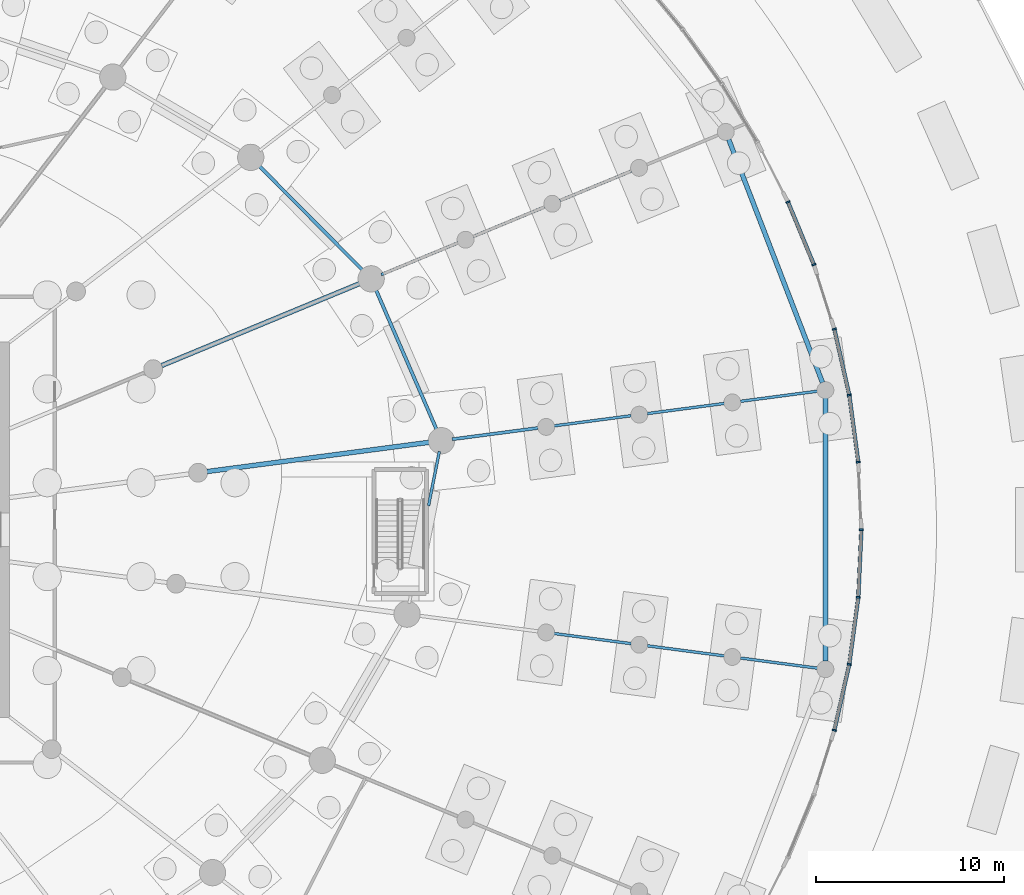
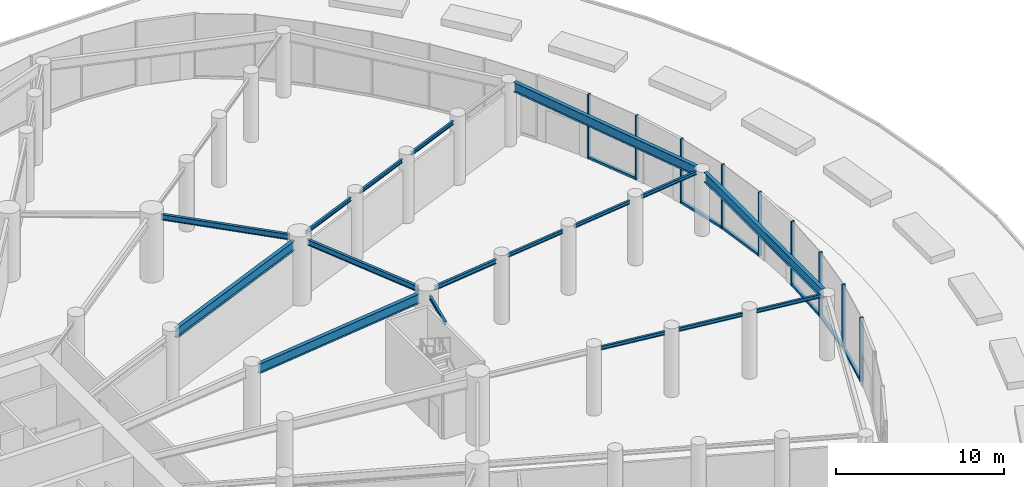
# One storey, part 10 of 28: 17 beams, 15 members, 2 elements without a shape of their own.
"""IFC4 building model written with IfcOpenShell, lengths in metres."""

from ifc_helpers import new_model, si_unit, direction, frame, origin, origin_2d, place, context, subcontext, project, spatial, rectangle, i_section, extrude, source, transform, mapped, material, layer, layer_set, material_profile, profile_set, type_object, element, aggregate, save


model = new_model("IFC4")

# Units and contexts
model_context = context("Model", 3, precision=1e-05, world=origin(), true_north=direction((0.0, 1.0)))
body_context = subcontext(model_context, "Body", "Model", "MODEL_VIEW")
ifc_project = project(units=[si_unit("LENGTHUNIT", "METRE"), si_unit("AREAUNIT", "SQUARE_METRE"), si_unit("VOLUMEUNIT", "CUBIC_METRE"), si_unit("PLANEANGLEUNIT", "RADIAN"), si_unit("MASSUNIT", "GRAM", prefix="KILO")], contexts=[model_context])

# Site, building, storey
site_placement = place(None, origin())
site = spatial("IfcSite", under=ifc_project, at=site_placement, CompositionType="ELEMENT")
building_placement = place(site_placement, origin())
building = spatial("IfcBuilding", under=site, at=building_placement, Name="Spindrift Exchange Tower", CompositionType="ELEMENT")
storey_placement = place(building_placement, origin())
storey = spatial("IfcBuildingStorey", under=building, at=storey_placement, Name="L00", CompositionType="ELEMENT", Elevation=0.0)

# Beams
ifc_material_1 = material(Name="Steel Grade 300", Category="steel")
ifc_material_profile_1 = material_profile(ifc_material_1, i_section(OverallWidth=0.25, OverallDepth=0.699951171875, WebThickness=0.008056640625, FlangeThickness=0.011962890625, at=origin_2d()), Name="700WB115")
ifc_profile_set_1 = profile_set([ifc_material_profile_1], Name="Steel Grade 300")
beam_type_1 = type_object("IfcBeamType", Name="Floor Beam 700WB115 Steel Grade 300", PredefinedType="BEAM", material=ifc_profile_set_1)
shared_shape_1 = source(origin(), body_context, "Body", "SweptSolid", [
    extrude(i_section(OverallWidth=0.25, OverallDepth=0.699951171875, WebThickness=0.008056640625, FlangeThickness=0.011962890625, at=origin_2d()), origin(), (0.0, 0.0, 1.0), 12.00830078125),
])
beam_1_placement = place(storey_placement, frame((75.509765625, 51.09521484375, 4.300048828125), z_axis=(0.991444950947, 0.130525511844, 0.0), x_axis=(-0.130525511844, 0.991444950947, 0.0)))
element("IfcBeam", 1, at=beam_1_placement, inside=storey, type_object=beam_type_1, Name="L00 radial beam R01B", PredefinedType="BEAM", context=body_context, shape_type="MappedRepresentation", body=[
    mapped(shared_shape_1, transform((0.0, 0.0, 0.0), scale=1.0)),
])
ifc_material_profile_2 = material_profile(ifc_material_1, i_section(OverallWidth=0.1650390625, OverallDepth=0.303955078125, WebThickness=0.006103515625, FlangeThickness=0.01025390625, FilletRadius=0.011474609375, at=origin_2d()), Name="310UB40.4")
ifc_profile_set_2 = profile_set([ifc_material_profile_2], Name="Steel Grade 300")
beam_type_2 = type_object("IfcBeamType", Name="Floor Beam 310UB40.4 Steel Grade 300", PredefinedType="BEAM", material=ifc_profile_set_2)
shared_shape_2 = source(origin(), body_context, "Body", "SweptSolid", [
    extrude(i_section(OverallWidth=0.1650390625, OverallDepth=0.303955078125, WebThickness=0.006103515625, FlangeThickness=0.01025390625, FilletRadius=0.011474609375, at=origin_2d()), origin(), (0.0, 0.0, 1.0), 4.613037109375),
])
beam_2_placement = place(storey_placement, frame((88.5654296875, 52.81396484375, 4.498046875), z_axis=(0.991446547774, 0.130513382096, 0.0), x_axis=(-0.130513382096, 0.991446547774, 0.0)))
element("IfcBeam", 2, at=beam_2_placement, inside=storey, type_object=beam_type_2, Name="L00 radial beam R01C1", PredefinedType="BEAM", context=body_context, shape_type="MappedRepresentation", body=[
    mapped(shared_shape_2, transform((0.0, 0.0, 0.0), scale=1.0)),
])
ifc_material_profile_3 = material_profile(ifc_material_1, i_section(OverallWidth=0.14599609375, OverallDepth=0.251953125, WebThickness=0.006103515625, FlangeThickness=0.008544921875, FilletRadius=0.011962890625, at=origin_2d()), Name="250UB31.4")
ifc_profile_set_3 = profile_set([ifc_material_profile_3], Name="Steel Grade 300")
beam_type_3 = type_object("IfcBeamType", Name="Floor Beam 250UB31.4 Steel Grade 300", PredefinedType="BEAM", material=ifc_profile_set_3)
shared_shape_3 = source(origin(), body_context, "Body", "SweptSolid", [
    extrude(i_section(OverallWidth=0.14599609375, OverallDepth=0.251953125, WebThickness=0.006103515625, FlangeThickness=0.008544921875, FilletRadius=0.011962890625, at=origin_2d()), origin(), (0.0, 0.0, 1.0), 4.1396484375),
])
for number, where, z_axis, x_axis, name in (
    (3, (93.99169921875, 53.5283203125, 4.52392578125), (0.991446465077, 0.130514010304, 0.0), (-0.130514010304, 0.991446465077, 0.0), "L00 radial beam R01C2"),
    (4, (98.94873046875, 54.180908203125, 4.52392578125), (0.991446465077, 0.130514010304, 0.0), (-0.130514010304, 0.991446465077, 0.0), "L00 radial beam R01C3"),
    (5, (103.90576171875, 54.83349609375, 4.52392578125), (0.991446465077, 0.130514010304, 0.0), (-0.130514010304, 0.991446465077, 0.0), "L00 radial beam R01C4"),
    (6, (93.99169921875, 42.4716796875, 4.52392578125), (0.991446465077, -0.130514010304, 0.0), (0.130514010304, 0.991446465077, 0.0), "L00 radial beam R24C2"),
    (7, (98.94873046875, 41.819091796875, 4.52392578125), (0.991446465077, -0.130514010304, 0.0), (0.130514010304, 0.991446465077, 0.0), "L00 radial beam R24C3"),
    (8, (103.90576171875, 41.16650390625, 4.52392578125), (0.991446465077, -0.130514010304, 0.0), (0.130514010304, 0.991446465077, 0.0), "L00 radial beam R24C4"),
):
    element("IfcBeam", number, at=place(storey_placement, frame(where, z_axis=z_axis, x_axis=x_axis)), inside=storey, type_object=beam_type_3, Name=name, PredefinedType="BEAM", context=body_context, shape_type="MappedRepresentation", body=[
        mapped(shared_shape_3, transform((0.0, 0.0, 0.0), scale=1.0)),
    ])
shared_shape_4 = source(origin(), body_context, "Body", "SweptSolid", [
    extrude(i_section(OverallWidth=0.25, OverallDepth=0.699951171875, WebThickness=0.008056640625, FlangeThickness=0.011962890625, at=origin_2d()), origin(), (0.0, 0.0, 1.0), 11.505859375),
])
beam_3_placement = place(storey_placement, frame((73.082763671875, 56.73291015625, 4.300048828125), z_axis=(0.923881578419, 0.38267849307, 0.0), x_axis=(-0.38267849307, 0.923881578419, 0.0)))
element("IfcBeam", 9, at=beam_3_placement, inside=storey, type_object=beam_type_1, Name="L00 radial beam R02B", PredefinedType="BEAM", context=body_context, shape_type="MappedRepresentation", body=[
    mapped(shared_shape_4, transform((0.0, 0.0, 0.0), scale=1.0)),
])
shared_shape_5 = source(origin(), body_context, "Body", "SweptSolid", [
    extrude(i_section(OverallWidth=0.14599609375, OverallDepth=0.251953125, WebThickness=0.006103515625, FlangeThickness=0.008544921875, FilletRadius=0.011962890625, at=origin_2d()), origin(), (0.0, 0.0, 1.0), 4.429931640625),
])
beam_4_placement = place(storey_placement, frame((84.78466796875, 61.579833984375, 4.52392578125), z_axis=(0.923877119512, 0.382689257808, 0.0), x_axis=(-0.382689257808, 0.923877119512, 0.0)))
element("IfcBeam", 10, at=beam_4_placement, inside=storey, type_object=beam_type_3, Name="L00 radial beam R02C1", PredefinedType="BEAM", context=body_context, shape_type="MappedRepresentation", body=[
    mapped(shared_shape_5, transform((0.0, 0.0, 0.0), scale=1.0)),
])
shared_shape_6 = source(origin(), body_context, "Body", "SweptSolid", [
    extrude(i_section(OverallWidth=0.14599609375, OverallDepth=0.251953125, WebThickness=0.006103515625, FlangeThickness=0.008544921875, FilletRadius=0.011962890625, at=origin_2d()), origin(), (0.0, 0.0, 1.0), 4.139892578125),
])
for number, where, z_axis, x_axis, name in (
    (11, (89.671875, 63.604248046875, 4.52392578125), (0.923880985108, 0.382679925467, 0.0), (-0.382679925467, 0.923880985108, 0.0), "L00 radial beam R02C2"),
    (12, (94.291015625, 65.517578125, 4.52392578125), (0.923880985108, 0.382679925467, 0.0), (-0.382679925467, 0.923880985108, 0.0), "L00 radial beam R02C3"),
):
    element("IfcBeam", number, at=place(storey_placement, frame(where, z_axis=z_axis, x_axis=x_axis)), inside=storey, type_object=beam_type_3, Name=name, PredefinedType="BEAM", context=body_context, shape_type="MappedRepresentation", body=[
        mapped(shared_shape_6, transform((0.0, 0.0, 0.0), scale=1.0)),
    ])
ifc_material_profile_4 = material_profile(ifc_material_1, i_section(OverallWidth=0.177978515625, OverallDepth=0.406005859375, WebThickness=0.0078125, FlangeThickness=0.0126953125, FilletRadius=0.013916015625, at=origin_2d()), Name="410UB59.7")
ifc_profile_set_4 = profile_set([ifc_material_profile_4], Name="Steel Grade 300")
beam_type_4 = type_object("IfcBeamType", Name="Edge Beam 410UB59.7 Steel Grade 300", PredefinedType="SPANDREL", material=ifc_profile_set_4)
shared_shape_7 = source(origin(), body_context, "Body", "SweptSolid", [
    extrude(i_section(OverallWidth=0.177978515625, OverallDepth=0.406005859375, WebThickness=0.0078125, FlangeThickness=0.0126953125, FilletRadius=0.013916015625, at=origin_2d()), origin(), (0.0, 0.0, 1.0), 8.23681640625),
])
beam_5_placement = place(storey_placement, frame((87.759521484375, 53.270263671875, 4.447021484375), z_axis=(-0.398186298756, 0.91730456855, 0.0), x_axis=(-0.91730456855, -0.398186298756, 0.0)))
element("IfcBeam", 13, at=beam_5_placement, inside=storey, type_object=beam_type_4, Name="L00 edge beam E01", PredefinedType="SPANDREL", context=body_context, shape_type="MappedRepresentation", body=[
    mapped(shared_shape_7, transform((0.0, 0.0, 0.0), scale=1.0)),
])
shared_shape_8 = source(origin(), body_context, "Body", "SweptSolid", [
    extrude(i_section(OverallWidth=0.177978515625, OverallDepth=0.406005859375, WebThickness=0.0078125, FlangeThickness=0.0126953125, FilletRadius=0.013916015625, at=origin_2d()), origin(), (0.0, 0.0, 1.0), 7.947509765625),
])
beam_6_placement = place(storey_placement, frame((83.840576171875, 61.769775390625, 4.447021484375), z_axis=(-0.704197895271, 0.710003749494, 0.0), x_axis=(-0.710003749494, -0.704197895271, 0.0)))
element("IfcBeam", 14, at=beam_6_placement, inside=storey, type_object=beam_type_4, Name="L00 edge beam E02", PredefinedType="SPANDREL", context=body_context, shape_type="MappedRepresentation", body=[
    mapped(shared_shape_8, transform((0.0, 0.0, 0.0), scale=1.0)),
])
ifc_material_profile_5 = material_profile(ifc_material_1, i_section(OverallWidth=0.14599609375, OverallDepth=0.251953125, WebThickness=0.006103515625, FlangeThickness=0.008544921875, FilletRadius=0.011962890625, at=origin_2d()), Name="250UB31.4")
ifc_profile_set_5 = profile_set([ifc_material_profile_5], Name="Steel Grade 300")
beam_type_5 = type_object("IfcBeamType", Name="Edge Beam 250UB31.4 Steel Grade 300", PredefinedType="SPANDREL", material=ifc_profile_set_5)
shared_shape_9 = source(origin(), body_context, "Body", "SweptSolid", [
    extrude(i_section(OverallWidth=0.14599609375, OverallDepth=0.251953125, WebThickness=0.006103515625, FlangeThickness=0.008544921875, FilletRadius=0.011962890625, at=origin_2d()), origin(), (0.0, 0.0, 1.0), 2.953369140625),
])
beam_7_placement = place(storey_placement, frame((87.303955078125, 49.27197265625, 4.52392578125), z_axis=(0.194255885589, 0.980950891184, 0.0), x_axis=(-0.980950891184, 0.194255885589, 0.0)))
element("IfcBeam", 15, at=beam_7_placement, inside=storey, type_object=beam_type_5, Name="L00 edge beam E24b", PredefinedType="SPANDREL", context=body_context, shape_type="MappedRepresentation", body=[
    mapped(shared_shape_9, transform((0.0, 0.0, 0.0), scale=1.0)),
])
ifc_material_profile_6 = material_profile(ifc_material_1, i_section(OverallWidth=0.25, OverallDepth=0.699951171875, WebThickness=0.008056640625, FlangeThickness=0.011962890625, at=origin_2d()), Name="700WB115")
ifc_profile_set_6 = profile_set([ifc_material_profile_6], Name="Steel Grade 300")
beam_type_6 = type_object("IfcBeamType", Name="Edge Beam 700WB115 Steel Grade 300", PredefinedType="SPANDREL", material=ifc_profile_set_6)
shared_shape_10 = source(origin(), body_context, "Body", "SweptSolid", [
    extrude(i_section(OverallWidth=0.25, OverallDepth=0.699951171875, WebThickness=0.008056640625, FlangeThickness=0.011962890625, at=origin_2d()), origin(), (0.0, 0.0, 1.0), 13.877197265625),
])
beam_8_placement = place(storey_placement, frame((108.281494140625, 55.831298828125, 4.300048828125), z_axis=(-0.359899634262, 0.932991025283, 0.0), x_axis=(-0.932991025283, -0.359899634262, 0.0)))
element("IfcBeam", 16, at=beam_8_placement, inside=storey, type_object=beam_type_6, Name="L00 cascade edge beam G01", PredefinedType="SPANDREL", context=body_context, shape_type="MappedRepresentation", body=[
    mapped(shared_shape_10, transform((0.0, 0.0, 0.0), scale=1.0)),
])
shared_shape_11 = source(origin(), body_context, "Body", "SweptSolid", [
    extrude(i_section(OverallWidth=0.25, OverallDepth=0.699951171875, WebThickness=0.008056640625, FlangeThickness=0.011962890625, at=origin_2d()), origin(), (0.0, 0.0, 1.0), 14.0),
])
beam_9_placement = place(storey_placement, frame((108.436279296875, 41.0, 4.300048828125), z_axis=(0.0, 1.0, 0.0), x_axis=(-1.0, 0.0, 0.0)))
element("IfcBeam", 17, at=beam_9_placement, inside=storey, type_object=beam_type_6, Name="L00 cascade edge beam G24", PredefinedType="SPANDREL", context=body_context, shape_type="MappedRepresentation", body=[
    mapped(shared_shape_11, transform((0.0, 0.0, 0.0), scale=1.0)),
])

# Curtain wall, members
ifc_material_2 = material(Name="Fritted laminated glass with bronze frame", Category="glass")
ifc_layer = layer(ifc_material_2, 0.219970703125)
ifc_layer_set = layer_set([ifc_layer], Name="PODIUM BRONZE GLAZED WALL")
curtain_wall_type = type_object("IfcCurtainWallType", Name="PODIUM BRONZE GLAZED WALL", PredefinedType="NOTDEFINED", material=ifc_layer_set)
curtain_wall_1_placement = place(storey_placement, origin())
curtain_wall_1 = element("IfcCurtainWall", 18, at=curtain_wall_1_placement, inside=storey, type_object=curtain_wall_type, Name="L00 Podium Bronze Glazed Wall run 1", PredefinedType="NOTDEFINED")
ifc_material_3 = material(Name="Bronze anodised aluminium", Category="aluminium")
ifc_material_profile_7 = material_profile(ifc_material_3, rectangle(XDim=0.090087890625, YDim=0.219970703125, at=origin_2d()), Name="PODIUM BRONZE GLAZED WALL MULLION 90X220")
ifc_profile_set_7 = profile_set([ifc_material_profile_7], Name="Bronze anodised aluminium")
member_type_1 = type_object("IfcMemberType", Name="PODIUM BRONZE GLAZED WALL MULLION 90X220", PredefinedType="MULLION", material=ifc_profile_set_7)
shared_shape_12 = source(origin(), body_context, "Body", "SweptSolid", [
    extrude(rectangle(XDim=0.090087890625, YDim=0.219970703125, at=origin_2d()), origin(), (0.0, 0.0, 1.0), 4.64990234375),
])
member_1_placement = place(storey_placement, frame((110.35009765625, 48.0, 0.0), z_axis=(0.0, 0.0, 1.0), x_axis=(0.0, 1.0, 0.0)))
member_1 = element("IfcMember", 19, at=member_1_placement, type_object=member_type_1, Name="L00 mullion CW-P.1", PredefinedType="MULLION", context=body_context, shape_type="MappedRepresentation", body=[
    mapped(shared_shape_12, transform((0.0, 0.0, 0.0), scale=1.0)),
])
member_2_placement = place(storey_placement, frame((110.185302734375, 51.5986328125, 0.0), z_axis=(0.0, 0.0, 1.0), x_axis=(-0.089487956344, 0.995987904379, 0.0)))
member_2 = element("IfcMember", 20, at=member_2_placement, type_object=member_type_1, Name="L00 mullion CW-P.2", PredefinedType="MULLION", context=body_context, shape_type="MappedRepresentation", body=[
    mapped(shared_shape_12, transform((0.0, 0.0, 0.0), scale=1.0)),
])
member_3_placement = place(storey_placement, frame((109.705810546875, 55.168701171875, 0.0), z_axis=(0.0, 0.0, 1.0), x_axis=(-0.177086531619, 0.984195285662, 0.0)))
member_3 = element("IfcMember", 21, at=member_3_placement, type_object=member_type_1, Name="L00 mullion CW-P.3", PredefinedType="MULLION", context=body_context, shape_type="MappedRepresentation", body=[
    mapped(shared_shape_12, transform((0.0, 0.0, 0.0), scale=1.0)),
])
member_4_placement = place(storey_placement, frame((108.91064453125, 58.682373046875, 0.0), z_axis=(0.0, 0.0, 1.0), x_axis=(-0.262033902492, 0.965058668654, 0.0)))
member_4 = element("IfcMember", 22, at=member_4_placement, type_object=member_type_1, Name="L00 mullion CW-P.4", PredefinedType="MULLION", context=body_context, shape_type="MappedRepresentation", body=[
    mapped(shared_shape_12, transform((0.0, 0.0, 0.0), scale=1.0)),
])
member_5_placement = place(storey_placement, frame((107.819580078125, 62.115478515625, 0.0), z_axis=(0.0, 0.0, 1.0), x_axis=(-0.342432060921, 0.939542592783, 0.0)))
member_5 = element("IfcMember", 23, at=member_5_placement, type_object=member_type_1, Name="L00 mullion CW-P.5", PredefinedType="MULLION", context=body_context, shape_type="MappedRepresentation", body=[
    mapped(shared_shape_12, transform((0.0, 0.0, 0.0), scale=1.0)),
])
member_6_placement = place(storey_placement, frame((106.44580078125, 65.44580078125, 0.0), z_axis=(0.0, 0.0, 1.0), x_axis=(-0.418284811542, 0.908315923252, 0.0)))
member_6 = element("IfcMember", 24, at=member_6_placement, type_object=member_type_1, Name="L00 mullion CW-P.6", PredefinedType="MULLION", context=body_context, shape_type="MappedRepresentation", body=[
    mapped(shared_shape_12, transform((0.0, 0.0, 0.0), scale=1.0)),
])

curtain_wall_2_placement = place(storey_placement, origin())
curtain_wall_2 = element("IfcCurtainWall", 25, at=curtain_wall_2_placement, inside=storey, type_object=curtain_wall_type, Name="L00 Podium Bronze Glazed Wall run 13", PredefinedType="NOTDEFINED")
member_7_placement = place(storey_placement, frame((108.91064453125, 37.317626953125, 0.0), z_axis=(0.0, 0.0, 1.0), x_axis=(0.262033902492, 0.965058668654, 0.0)))
member_7 = element("IfcMember", 26, at=member_7_placement, type_object=member_type_1, Name="L00 mullion CW-P.74", PredefinedType="MULLION", context=body_context, shape_type="MappedRepresentation", body=[
    mapped(shared_shape_12, transform((0.0, 0.0, 0.0), scale=1.0)),
])
member_8_placement = place(storey_placement, frame((109.705810546875, 40.831298828125, 0.0), z_axis=(0.0, 0.0, 1.0), x_axis=(0.177086531619, 0.984195285662, 0.0)))
member_8 = element("IfcMember", 27, at=member_8_placement, type_object=member_type_1, Name="L00 mullion CW-P.75", PredefinedType="MULLION", context=body_context, shape_type="MappedRepresentation", body=[
    mapped(shared_shape_12, transform((0.0, 0.0, 0.0), scale=1.0)),
])
member_9_placement = place(storey_placement, frame((110.185302734375, 44.4013671875, 0.0), z_axis=(0.0, 0.0, 1.0), x_axis=(0.089487956344, 0.995987904379, 0.0)))
member_9 = element("IfcMember", 28, at=member_9_placement, type_object=member_type_1, Name="L00 mullion CW-P.76", PredefinedType="MULLION", context=body_context, shape_type="MappedRepresentation", body=[
    mapped(shared_shape_12, transform((0.0, 0.0, 0.0), scale=1.0)),
])

# Member
ifc_material_profile_8 = material_profile(ifc_material_3, rectangle(XDim=0.199951171875, YDim=0.159912109375, at=origin_2d()), Name="PODIUM BRONZE GLAZED WALL TRANSOM 200X160")
ifc_profile_set_8 = profile_set([ifc_material_profile_8], Name="Bronze anodised aluminium")
member_type_2 = type_object("IfcMemberType", Name="PODIUM BRONZE GLAZED WALL TRANSOM 200X160", PredefinedType="USERDEFINED", material=ifc_profile_set_8)
shared_shape_13 = source(origin(), body_context, "Body", "SweptSolid", [
    extrude(rectangle(XDim=0.199951171875, YDim=0.159912109375, at=origin_2d()), origin(), (0.0, 0.0, 1.0), 3.51220703125),
])
member_10_placement = place(storey_placement, frame((110.17919921875, 51.643310546875, 0.080078125), z_axis=(-0.133046992845, 0.991109730401, 0.0), x_axis=(-0.991109730401, -0.133046992845, 0.0)))
member_10 = element("IfcMember", 29, at=member_10_placement, type_object=member_type_2, Name="L00 transom CW-P.2", ObjectType="TRANSOM", PredefinedType="USERDEFINED", context=body_context, shape_type="MappedRepresentation", body=[
    mapped(shared_shape_13, transform((0.0, 0.0, 0.0), scale=1.0)),
])

member_11_placement = place(storey_placement, frame((107.802490234375, 62.1572265625, 0.080078125), z_axis=(-0.381399976838, 0.924410113352, 0.0), x_axis=(-0.924410113352, -0.381399976838, 0.0)))
member_11 = element("IfcMember", 30, at=member_11_placement, type_object=member_type_2, Name="L00 transom CW-P.5", ObjectType="TRANSOM", PredefinedType="USERDEFINED", context=body_context, shape_type="MappedRepresentation", body=[
    mapped(shared_shape_13, transform((0.0, 0.0, 0.0), scale=1.0)),
])

member_12_placement = place(storey_placement, frame((109.7119140625, 40.875732421875, 0.080078125), z_axis=(0.133046992845, 0.991109730401, 0.0), x_axis=(-0.991109730401, 0.133046992845, 0.0)))
member_12 = element("IfcMember", 31, at=member_12_placement, type_object=member_type_2, Name="L00 transom CW-P.75", ObjectType="TRANSOM", PredefinedType="USERDEFINED", context=body_context, shape_type="MappedRepresentation", body=[
    mapped(shared_shape_13, transform((0.0, 0.0, 0.0), scale=1.0)),
])

shared_shape_14 = source(origin(), body_context, "Body", "SweptSolid", [
    extrude(rectangle(XDim=0.199951171875, YDim=0.159912109375, at=origin_2d()), origin(), (0.0, 0.0, 1.0), 3.512451171875),
])
member_13_placement = place(storey_placement, frame((109.696044921875, 55.212646484375, 0.080078125), z_axis=(-0.220755791471, 0.975329113957, 0.0), x_axis=(-0.975329113957, -0.220755791471, 0.0)))
member_13 = element("IfcMember", 32, at=member_13_placement, type_object=member_type_2, Name="L00 transom CW-P.3", ObjectType="TRANSOM", PredefinedType="USERDEFINED", context=body_context, shape_type="MappedRepresentation", body=[
    mapped(shared_shape_14, transform((0.0, 0.0, 0.0), scale=1.0)),
])

aggregate(curtain_wall_1, [member_1, member_2, member_10, member_3, member_13, member_4, member_5, member_11, member_6])

member_14_placement = place(storey_placement, frame((108.920654296875, 37.361572265625, 0.080078125), z_axis=(0.220755791471, 0.975329113957, 0.0), x_axis=(-0.975329113957, 0.220755791471, 0.0)))
member_14 = element("IfcMember", 33, at=member_14_placement, type_object=member_type_2, Name="L00 transom CW-P.74", ObjectType="TRANSOM", PredefinedType="USERDEFINED", context=body_context, shape_type="MappedRepresentation", body=[
    mapped(shared_shape_14, transform((0.0, 0.0, 0.0), scale=1.0)),
])

member_15_placement = place(storey_placement, frame((110.187255859375, 44.4462890625, 0.080078125), z_axis=(0.045735559201, 0.998953581817, 0.0), x_axis=(-0.998953581817, 0.045735559201, 0.0)))
member_15 = element("IfcMember", 34, at=member_15_placement, type_object=member_type_2, Name="L00 transom CW-P.76", ObjectType="TRANSOM", PredefinedType="USERDEFINED", context=body_context, shape_type="MappedRepresentation", body=[
    mapped(shared_shape_14, transform((0.0, 0.0, 0.0), scale=1.0)),
])

aggregate(curtain_wall_2, [member_7, member_14, member_8, member_12, member_9, member_15])

save(model, "model.ifc")
